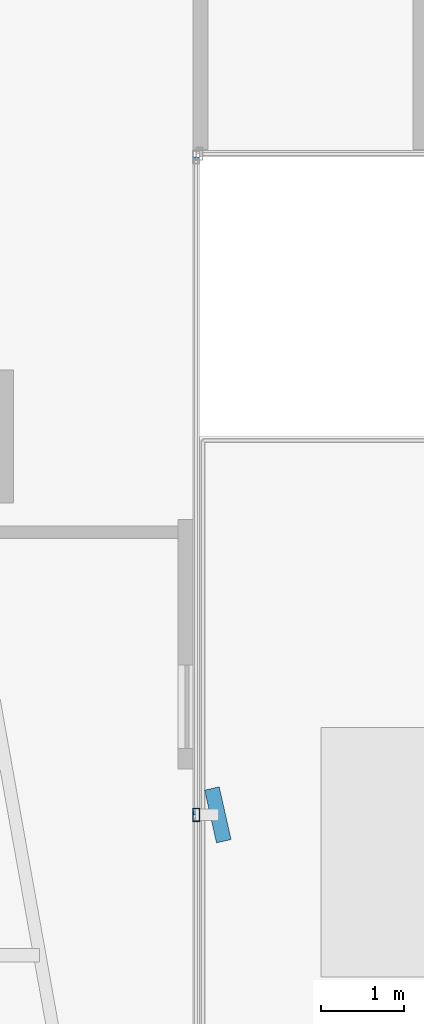
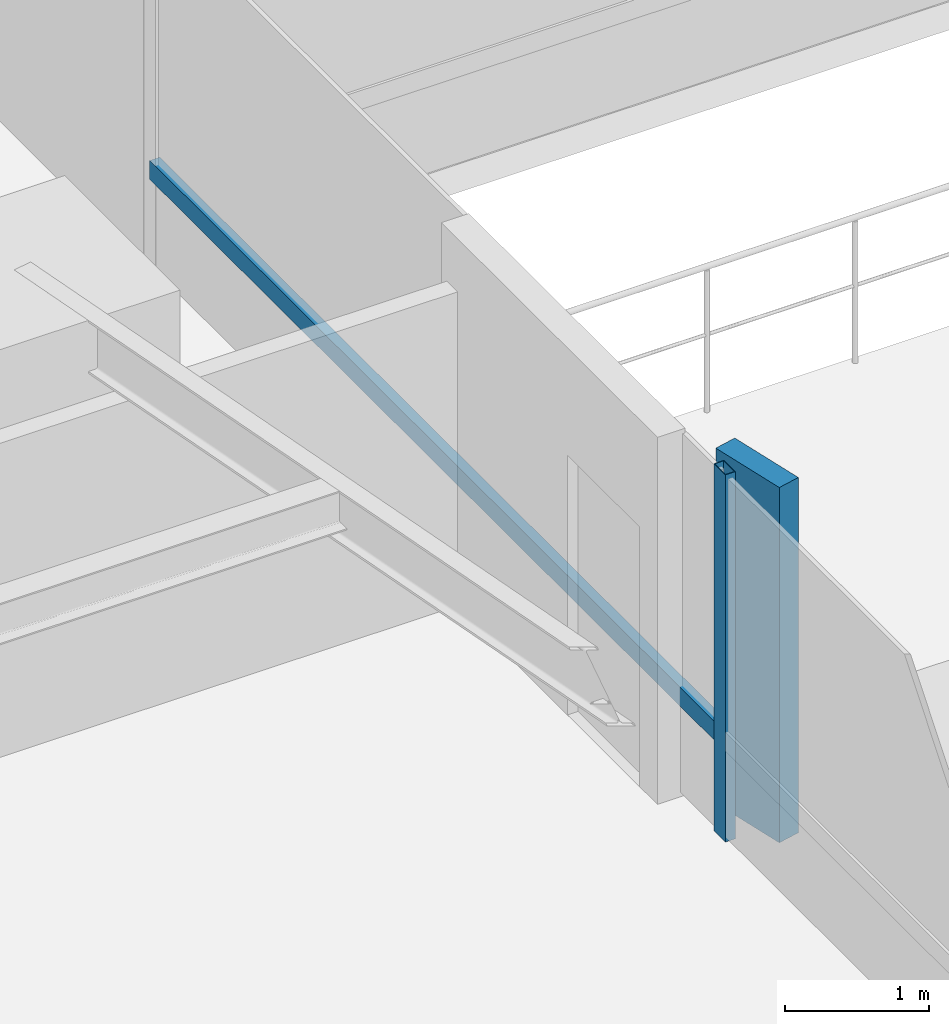
# One storey, part 4 of 27: 3 members, 1 element without a shape of its own.
"""IFC4 building model written with IfcOpenShell, lengths in metres."""

from ifc_helpers import new_model, si_unit, direction, frame, origin, origin_2d, place, context, subcontext, project, spatial, rectangle, hollow_rectangle, extrude, source, transform, mapped, material, material_profile, profile_set, type_object, element, aggregate, save


model = new_model("IFC4")

# Units and contexts
model_context = context("Model", 3, precision=1e-05, world=origin(), true_north=direction((0.0, 1.0)))
body_context = subcontext(model_context, "Body", "Model", "MODEL_VIEW")
ifc_project = project(units=[si_unit("LENGTHUNIT", "METRE"), si_unit("AREAUNIT", "SQUARE_METRE"), si_unit("VOLUMEUNIT", "CUBIC_METRE"), si_unit("PLANEANGLEUNIT", "RADIAN"), si_unit("MASSUNIT", "GRAM", prefix="KILO")], contexts=[model_context])

# Site, building, storey
site_placement = place(None, origin())
site = spatial("IfcSite", under=ifc_project, at=site_placement, CompositionType="ELEMENT")
building_placement = place(site_placement, origin())
building = spatial("IfcBuilding", under=site, at=building_placement, Name="Sahyath Konkavel Grand Hotel", CompositionType="ELEMENT")
storey_placement = place(building_placement, frame((0.0, 0.0, 23.10009765625)))
storey = spatial("IfcBuildingStorey", under=building, at=storey_placement, Name="L05", CompositionType="ELEMENT", Elevation=23.10009765625)

# Curtain wall, members
ifc_material_1 = material(Name="Anodised Bronze Aluminium & Low-E Glazing", Category="aluminium")
curtain_wall_type = type_object("IfcCurtainWallType", Name="CW-ZONE1", PredefinedType="NOTDEFINED", material=ifc_material_1)
curtain_wall_placement = place(storey_placement, origin())
curtain_wall = element("IfcCurtainWall", 1, at=curtain_wall_placement, inside=storey, type_object=curtain_wall_type, Name="L05 Unitised Curtain Wall F31", PredefinedType="NOTDEFINED")
ifc_material_2 = material(Name="Anodised Bronze Aluminium", Category="aluminium")
ifc_material_profile_1 = material_profile(ifc_material_2, hollow_rectangle(XDim=0.080078125, YDim=0.159912109375, WallThickness=0.006103515625, at=origin_2d()), Name="RHS 160x80x6")
ifc_profile_set_1 = profile_set([ifc_material_profile_1], Name="Anodised Bronze Aluminium")
member_type_1 = type_object("IfcMemberType", Name="CW-MUL-160", PredefinedType="MULLION", material=ifc_profile_set_1)
shared_shape_1 = source(origin(), body_context, "Body", "SweptSolid", [
    extrude(hollow_rectangle(XDim=0.080078125, YDim=0.159912109375, WallThickness=0.006103515625, at=origin_2d()), origin(), (0.0, 0.0, 1.0), 3.10986328125),
])
member_1_placement = place(storey_placement, frame((6.800048828125, -14.75, 0.0), z_axis=(0.0, 0.0, 1.0), x_axis=(1.0, 0.0, 0.0)))
member_1 = element("IfcMember", 2, at=member_1_placement, type_object=member_type_1, Name="L05 Curtain Wall Mullion F31-1", PredefinedType="MULLION", context=body_context, shape_type="MappedRepresentation", body=[
    mapped(shared_shape_1, transform((0.0, 0.0, 0.0), scale=1.0)),
])
ifc_material_3 = material(Name="Warm Buff Sandstone Cladding on Concrete C50/60", Category="masonry")
ifc_material_profile_2 = material_profile(ifc_material_3, rectangle(XDim=0.179931640625, YDim=0.64990234375, at=origin_2d()), Name="FIN 180x650")
ifc_profile_set_2 = profile_set([ifc_material_profile_2], Name="Warm Buff Sandstone Cladding on Concrete C50/60")
member_type_2 = type_object("IfcMemberType", Name="FIN-SANDSTONE-650", PredefinedType="MULLION", material=ifc_profile_set_2)
shared_shape_2 = source(origin(), body_context, "Body", "SweptSolid", [
    extrude(rectangle(XDim=0.179931640625, YDim=0.64990234375, at=origin_2d()), origin(), (0.0, 0.0, 1.0), 3.010009765625),
])
member_2_placement = place(storey_placement, frame((7.06005859375, -14.75, 0.0498046875), z_axis=(0.0, 0.0, 1.0), x_axis=(0.975419299024, 0.220356962886, 0.0)))
member_2 = element("IfcMember", 3, at=member_2_placement, type_object=member_type_2, Name="L05 Sandstone Vertical Solar Fin FIN F31-1", PredefinedType="MULLION", context=body_context, shape_type="MappedRepresentation", body=[
    mapped(shared_shape_2, transform((0.0, 0.0, 0.0), scale=1.0)),
])
ifc_material_profile_3 = material_profile(ifc_material_2, hollow_rectangle(XDim=0.080078125, YDim=0.159912109375, WallThickness=0.006103515625, at=origin_2d()), Name="RHS 160x80x6")
ifc_profile_set_3 = profile_set([ifc_material_profile_3], Name="Anodised Bronze Aluminium")
member_type_3 = type_object("IfcMemberType", Name="CW-TRN-160", PredefinedType="USERDEFINED", material=ifc_profile_set_3)
shared_shape_3 = source(origin(), body_context, "Body", "SweptSolid", [
    extrude(hollow_rectangle(XDim=0.080078125, YDim=0.159912109375, WallThickness=0.006103515625, at=origin_2d()), origin(), (0.0, 0.0, 1.0), 7.909912109375),
])
member_3_placement = place(storey_placement, frame((6.800048828125, -14.75, 0.849853515625), z_axis=(0.0, 1.0, 0.0), x_axis=(-1.0, 0.0, 0.0)))
member_3 = element("IfcMember", 4, at=member_3_placement, type_object=member_type_3, Name="L05 Curtain Wall Transom F31-1-spandrel", ObjectType="TRANSOM", PredefinedType="USERDEFINED", context=body_context, shape_type="MappedRepresentation", body=[
    mapped(shared_shape_3, transform((0.0, 0.0, 0.0), scale=1.0)),
])
aggregate(curtain_wall, [member_1, member_2, member_3])

save(model, "model.ifc")
